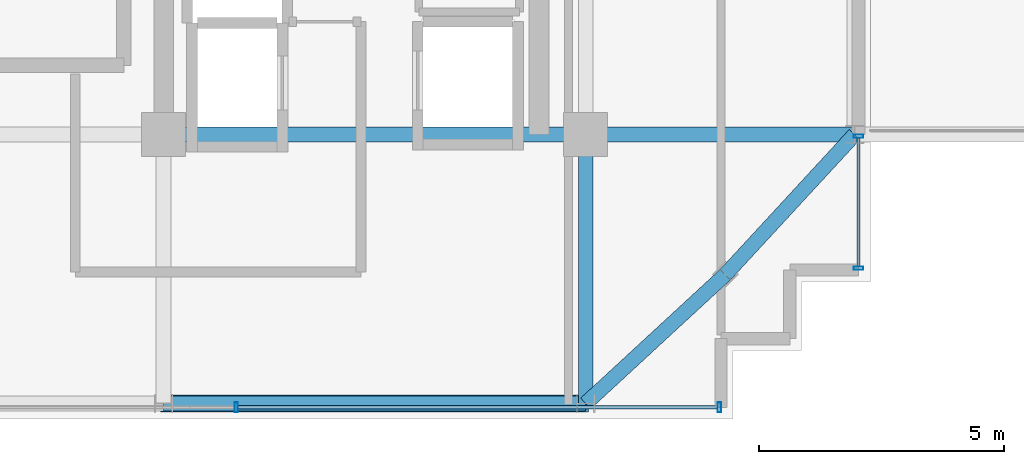
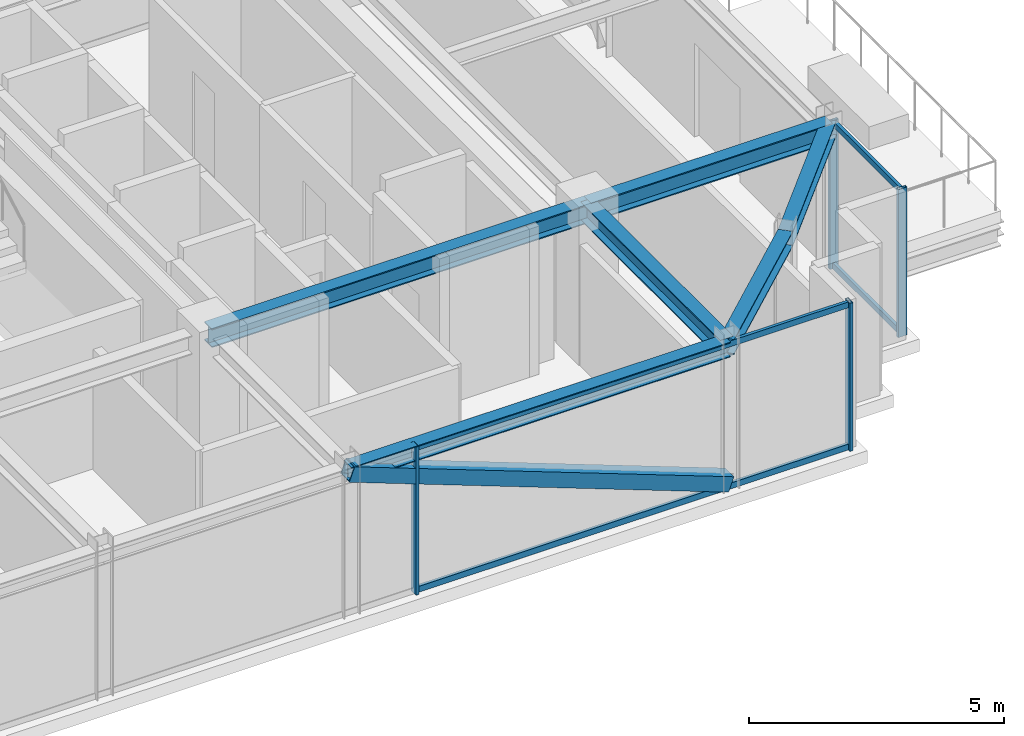
# One storey, part 17 of 39: 9 members, 6 beams, 2 elements without a shape of their own.
"""IFC4 building model written with IfcOpenShell, lengths in metres."""

from ifc_helpers import new_model, si_unit, direction, frame, origin, origin_2d, place, context, subcontext, project, spatial, hollow_rectangle, i_section, extrude, source, transform, mapped, material, material_profile, profile_set, type_object, element, aggregate, save


model = new_model("IFC4")

# Units and contexts
model_context = context("Model", 3, precision=1e-05, world=origin(), true_north=direction((0.0, 1.0)))
body_context = subcontext(model_context, "Body", "Model", "MODEL_VIEW")
ifc_project = project(units=[si_unit("LENGTHUNIT", "METRE"), si_unit("AREAUNIT", "SQUARE_METRE"), si_unit("VOLUMEUNIT", "CUBIC_METRE"), si_unit("PLANEANGLEUNIT", "RADIAN"), si_unit("MASSUNIT", "GRAM", prefix="KILO")], contexts=[model_context])

# Site, building, storey
site_placement = place(None, origin())
site = spatial("IfcSite", under=ifc_project, at=site_placement, CompositionType="ELEMENT")
building_placement = place(site_placement, origin())
building = spatial("IfcBuilding", under=site, at=building_placement, Name="Nahalor Promenade Grand Hotel", CompositionType="ELEMENT")
storey_placement = place(building_placement, frame((0.0, 0.0, 311.89990234375)))
storey = spatial("IfcBuildingStorey", under=building, at=storey_placement, Name="L80", CompositionType="ELEMENT", Elevation=311.89990234375)

# Beams
ifc_material_1 = material(Name="Steel S355JR", Category="steel")
ifc_material_profile_1 = material_profile(ifc_material_1, i_section(OverallWidth=0.3, OverallDepth=0.45, WebThickness=0.014, FlangeThickness=0.026, at=origin_2d()), Name="HEB 450")
ifc_profile_set_1 = profile_set([ifc_material_profile_1], Name="Steel S355JR")
beam_type_1 = type_object("IfcBeamType", Name="Beam-Girder-HEB450", PredefinedType="BEAM", material=ifc_profile_set_1)
shared_shape_1 = source(origin(), body_context, "Body", "SweptSolid", [
    extrude(i_section(OverallWidth=0.3, OverallDepth=0.45, WebThickness=0.014, FlangeThickness=0.026, at=origin_2d()), origin(), (0.0, 0.0, 1.0), 8.60009765625),
])
beam_1_placement = place(storey_placement, frame((8.39990234375, -17.0, 3.3251953125), z_axis=(1.0, 0.0, 0.0), x_axis=(0.0, 1.0, 0.0)))
element("IfcBeam", 1, at=beam_1_placement, inside=storey, type_object=beam_type_1, Name="BM-L80-GX-0-5", PredefinedType="BEAM", context=body_context, shape_type="MappedRepresentation", body=[
    mapped(shared_shape_1, transform((0.0, 0.0, 0.0), scale=1.0)),
])
shared_shape_2 = source(origin(), body_context, "Body", "SweptSolid", [
    extrude(i_section(OverallWidth=0.3, OverallDepth=0.45, WebThickness=0.014, FlangeThickness=0.026, at=origin_2d()), origin(), (0.0, 0.0, 1.0), 5.47998046875),
])
for number, where, z_axis, x_axis, name in (
    (2, (17.0, -17.0, 3.3251953125), (1.0, 0.0, 0.0), (0.0, 1.0, 0.0), "BM-L80-GX-0-6"),
    (3, (17.0, -22.47998046875, 3.3251953125), (0.0, 1.0, 0.0), (-1.0, 0.0, 0.0), "BM-L80-GY-5-0"),
):
    element("IfcBeam", number, at=place(storey_placement, frame(where, z_axis=z_axis, x_axis=x_axis)), inside=storey, type_object=beam_type_1, Name=name, PredefinedType="BEAM", context=body_context, shape_type="MappedRepresentation", body=[
        mapped(shared_shape_2, transform((0.0, 0.0, 0.0), scale=1.0)),
    ])
ifc_material_profile_2 = material_profile(ifc_material_1, i_section(OverallWidth=0.3, OverallDepth=0.36, WebThickness=0.0125, FlangeThickness=0.0225, at=origin_2d()), Name="HEB 360")
ifc_profile_set_2 = profile_set([ifc_material_profile_2], Name="Steel S355JR")
beam_type_2 = type_object("IfcBeamType", Name="Beam-Spandrel-HEB360", PredefinedType="SPANDREL", material=ifc_profile_set_2)
shared_shape_3 = source(origin(), body_context, "Body", "SweptSolid", [
    extrude(i_section(OverallWidth=0.3, OverallDepth=0.36, WebThickness=0.0125, FlangeThickness=0.0225, at=origin_2d()), origin(), (0.0, 0.0, 1.0), 8.60009765625),
])
beam_2_placement = place(storey_placement, frame((8.39990234375, -22.47998046875, 3.3701171875), z_axis=(1.0, 0.0, 0.0), x_axis=(0.0, 1.0, 0.0)))
element("IfcBeam", 4, at=beam_2_placement, inside=storey, type_object=beam_type_2, Name="BM-L80-SP-S-4", PredefinedType="SPANDREL", context=body_context, shape_type="MappedRepresentation", body=[
    mapped(shared_shape_3, transform((0.0, 0.0, 0.0), scale=1.0)),
])
shared_shape_4 = source(origin(), body_context, "Body", "SweptSolid", [
    extrude(i_section(OverallWidth=0.3, OverallDepth=0.36, WebThickness=0.0125, FlangeThickness=0.0225, at=origin_2d()), origin(), (0.0, 0.0, 1.0), 3.878173828125),
])
for number, where, z_axis, x_axis, name in (
    (5, (17.0, -22.47998046875, 3.3701171875), (0.73492893846, 0.678144125843, 0.0), (-0.678144125843, 0.73492893846, 0.0), "BM-L80-SPC-SE-1"),
    (6, (19.85009765625, -19.85009765625, 3.3701171875), (0.678144125843, 0.73492893846, 0.0), (-0.73492893846, 0.678144125843, 0.0), "BM-L80-SPC-SE-2"),
):
    element("IfcBeam", number, at=place(storey_placement, frame(where, z_axis=z_axis, x_axis=x_axis)), inside=storey, type_object=beam_type_2, Name=name, PredefinedType="SPANDREL", context=body_context, shape_type="MappedRepresentation", body=[
        mapped(shared_shape_4, transform((0.0, 0.0, 0.0), scale=1.0)),
    ])

# Member
ifc_material_profile_3 = material_profile(ifc_material_1, hollow_rectangle(XDim=0.35, YDim=0.35, WallThickness=0.02, at=origin_2d()), Name="SHS 350x350x20")
ifc_profile_set_3 = profile_set([ifc_material_profile_3], Name="Steel S355JR")
member_type_1 = type_object("IfcMemberType", Name="Mem-VoidBrace-SHS350", PredefinedType="BRACE", material=ifc_profile_set_3)
shared_shape_5 = source(origin(), body_context, "Body", "SweptSolid", [
    extrude(hollow_rectangle(XDim=0.35, YDim=0.35, WallThickness=0.02, at=origin_2d()), origin(), (0.0, 0.0, 1.0), 9.193603515625),
])
member_1_placement = place(storey_placement, frame((17.0, -22.47998046875, 0.150146484375), z_axis=(-0.935433460247, 0.0, 0.353502816749), x_axis=(0.0, -1.0, 0.0)))
element("IfcMember", 7, at=member_1_placement, inside=storey, type_object=member_type_1, Name="EXO-L80-S-1", PredefinedType="BRACE", context=body_context, shape_type="MappedRepresentation", body=[
    mapped(shared_shape_5, transform((0.0, 0.0, 0.0), scale=1.0)),
])

# Curtain wall, members
ifc_material_2 = material(Name="Anodised Bronze Aluminium EN AW-6063 T6", Category="aluminium")
curtain_wall_type = type_object("IfcCurtainWallType", Name="CW3 Elliptical-Void Collar Unitised Curtain Wall", PredefinedType="USERDEFINED", material=ifc_material_2)
curtain_wall_1_placement = place(storey_placement, origin())
curtain_wall_1 = element("IfcCurtainWall", 8, at=curtain_wall_1_placement, inside=storey, type_object=curtain_wall_type, Name="L80 Curtain Wall CW-L80-S-1", ObjectType="UNITISED_CURTAIN_WALL", PredefinedType="USERDEFINED")
ifc_material_profile_4 = material_profile(ifc_material_2, hollow_rectangle(XDim=0.07, YDim=0.14, WallThickness=0.004, at=origin_2d()), Name="CWT 70x140x4")
ifc_profile_set_4 = profile_set([ifc_material_profile_4], Name="Anodised Bronze Aluminium EN AW-6063 T6")
member_type_2 = type_object("IfcMemberType", Name="CWT3 Void Collar Transom 70x140", PredefinedType="USERDEFINED", material=ifc_profile_set_4)
shared_shape_6 = source(origin(), body_context, "Body", "SweptSolid", [
    extrude(hollow_rectangle(XDim=0.07, YDim=0.14, WallThickness=0.004, at=origin_2d()), origin(), (0.0, 0.0, 1.0), 9.77490234375),
])
member_2_placement = place(storey_placement, frame((9.9150390625, -22.56005859375, 0.070068359375), z_axis=(1.0, 0.0, 0.0), x_axis=(0.0, 1.0, 0.0)))
member_2 = element("IfcMember", 9, at=member_2_placement, type_object=member_type_2, Name="CW-L80-S-1 Transom 3-0", ObjectType="TRANSOM", PredefinedType="USERDEFINED", context=body_context, shape_type="MappedRepresentation", body=[
    mapped(shared_shape_6, transform((0.0, 0.0, 0.0), scale=1.0)),
])
member_3_placement = place(storey_placement, frame((9.9150390625, -22.56005859375, 3.47998046875), z_axis=(1.0, 0.0, 0.0), x_axis=(0.0, 1.0, 0.0)))
member_3 = element("IfcMember", 10, at=member_3_placement, type_object=member_type_2, Name="CW-L80-S-1 Transom 3-1", ObjectType="TRANSOM", PredefinedType="USERDEFINED", context=body_context, shape_type="MappedRepresentation", body=[
    mapped(shared_shape_6, transform((0.0, 0.0, 0.0), scale=1.0)),
])

curtain_wall_2_placement = place(storey_placement, origin())
curtain_wall_2 = element("IfcCurtainWall", 11, at=curtain_wall_2_placement, inside=storey, type_object=curtain_wall_type, Name="L80 Curtain Wall CW-L80-E-1", ObjectType="UNITISED_CURTAIN_WALL", PredefinedType="USERDEFINED")
shared_shape_7 = source(origin(), body_context, "Body", "SweptSolid", [
    extrude(hollow_rectangle(XDim=0.07, YDim=0.14, WallThickness=0.004, at=origin_2d()), origin(), (0.0, 0.0, 1.0), 2.619873046875),
])
member_4_placement = place(storey_placement, frame((22.56005859375, -19.68994140625, 0.070068359375), z_axis=(0.0, 1.0, 0.0), x_axis=(-1.0, 0.0, 0.0)))
member_4 = element("IfcMember", 12, at=member_4_placement, type_object=member_type_2, Name="CW-L80-E-1 Transom 0-0", ObjectType="TRANSOM", PredefinedType="USERDEFINED", context=body_context, shape_type="MappedRepresentation", body=[
    mapped(shared_shape_7, transform((0.0, 0.0, 0.0), scale=1.0)),
])
member_5_placement = place(storey_placement, frame((22.56005859375, -19.68994140625, 3.47998046875), z_axis=(0.0, 1.0, 0.0), x_axis=(-1.0, 0.0, 0.0)))
member_5 = element("IfcMember", 13, at=member_5_placement, type_object=member_type_2, Name="CW-L80-E-1 Transom 0-1", ObjectType="TRANSOM", PredefinedType="USERDEFINED", context=body_context, shape_type="MappedRepresentation", body=[
    mapped(shared_shape_7, transform((0.0, 0.0, 0.0), scale=1.0)),
])

# Member
ifc_material_profile_5 = material_profile(ifc_material_2, hollow_rectangle(XDim=0.07, YDim=0.2, WallThickness=0.005, at=origin_2d()), Name="CWM 70x200x5")
ifc_profile_set_5 = profile_set([ifc_material_profile_5], Name="Anodised Bronze Aluminium EN AW-6063 T6")
member_type_3 = type_object("IfcMemberType", Name="CWM3 Void Collar Mullion 70x200", PredefinedType="MULLION", material=ifc_profile_set_5)
shared_shape_8 = source(origin(), body_context, "Body", "SweptSolid", [
    extrude(hollow_rectangle(XDim=0.07, YDim=0.2, WallThickness=0.005, at=origin_2d()), origin(), (0.0, 0.0, 1.0), 3.550048828125),
])
member_6_placement = place(storey_placement, frame((9.8798828125, -22.56005859375, 0.0), z_axis=(0.0, 0.0, 1.0), x_axis=(1.0, 0.0, 0.0)))
member_6 = element("IfcMember", 14, at=member_6_placement, type_object=member_type_3, Name="CW-L80-S-1 Mullion 3", PredefinedType="MULLION", context=body_context, shape_type="MappedRepresentation", body=[
    mapped(shared_shape_8, transform((0.0, 0.0, 0.0), scale=1.0)),
])

member_7_placement = place(storey_placement, frame((19.72509765625, -22.56005859375, 0.0), z_axis=(0.0, 0.0, 1.0), x_axis=(1.0, 0.0, 0.0)))
member_7 = element("IfcMember", 15, at=member_7_placement, type_object=member_type_3, Name="CW-L80-S-1 Mullion 4", PredefinedType="MULLION", context=body_context, shape_type="MappedRepresentation", body=[
    mapped(shared_shape_8, transform((0.0, 0.0, 0.0), scale=1.0)),
])

aggregate(curtain_wall_1, [member_6, member_7, member_2, member_3])

member_8_placement = place(storey_placement, frame((22.56005859375, -19.72509765625, 0.0), z_axis=(0.0, 0.0, 1.0), x_axis=(0.0, 1.0, 0.0)))
member_8 = element("IfcMember", 16, at=member_8_placement, type_object=member_type_3, Name="CW-L80-E-1 Mullion 0", PredefinedType="MULLION", context=body_context, shape_type="MappedRepresentation", body=[
    mapped(shared_shape_8, transform((0.0, 0.0, 0.0), scale=1.0)),
])

member_9_placement = place(storey_placement, frame((22.56005859375, -17.034912109375, 0.0), z_axis=(0.0, 0.0, 1.0), x_axis=(0.0, 1.0, 0.0)))
member_9 = element("IfcMember", 17, at=member_9_placement, type_object=member_type_3, Name="CW-L80-E-1 Mullion 1", PredefinedType="MULLION", context=body_context, shape_type="MappedRepresentation", body=[
    mapped(shared_shape_8, transform((0.0, 0.0, 0.0), scale=1.0)),
])

aggregate(curtain_wall_2, [member_8, member_9, member_4, member_5])

save(model, "model.ifc")
